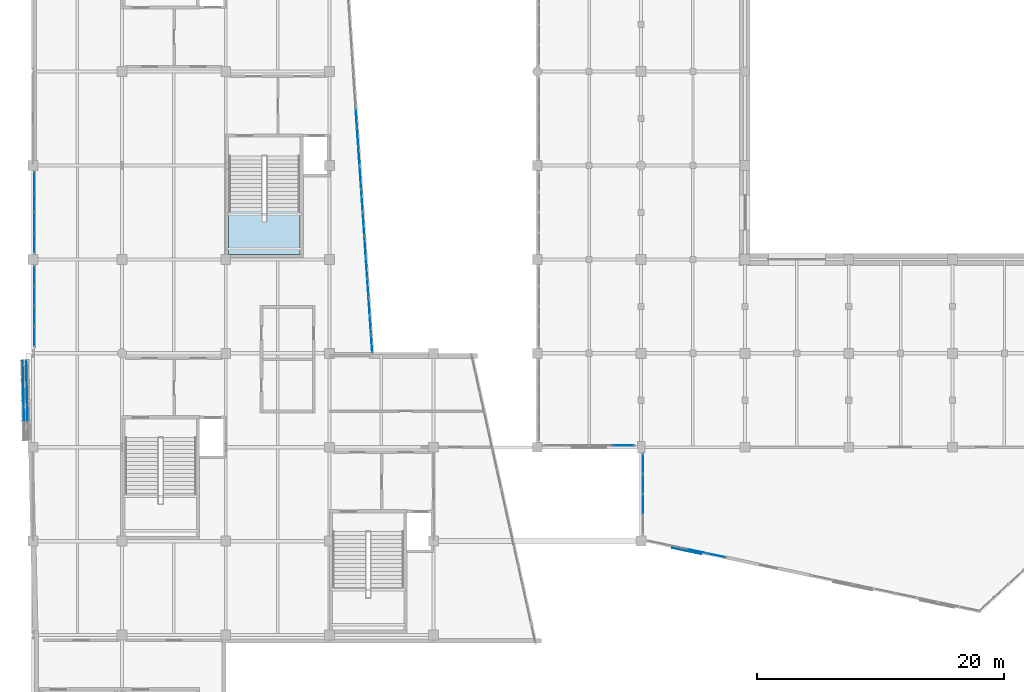
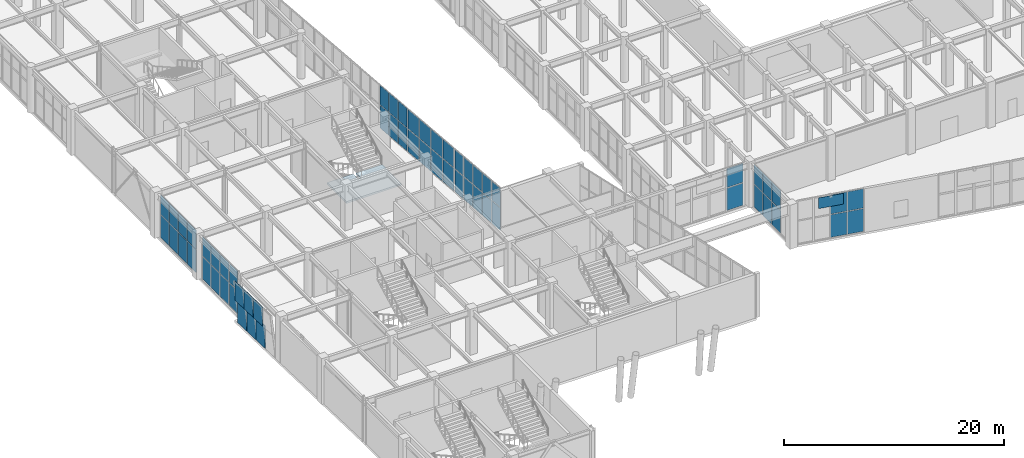
# One storey, part 95 of 128: 59 plates, 1 slab, 10 elements without a shape of their own.
"""IFC4 building model written with IfcOpenShell, lengths in metres."""

from ifc_helpers import new_model, si_unit, direction, frame, origin, origin_2d, place, context, subcontext, project, spatial, polyline, rectangle, outline, extrude, material, layer, layer_set, type_object, element, aggregate, save


model = new_model("IFC4")

# Units and contexts
model_context = context("Model", 3, precision=1e-05, world=origin(), true_north=direction((0.0, 1.0)))
body_context = subcontext(model_context, "Body", "Model", "MODEL_VIEW")
ifc_project = project(units=[si_unit("LENGTHUNIT", "METRE"), si_unit("AREAUNIT", "SQUARE_METRE"), si_unit("VOLUMEUNIT", "CUBIC_METRE"), si_unit("PLANEANGLEUNIT", "RADIAN"), si_unit("MASSUNIT", "GRAM", prefix="KILO")], contexts=[model_context])

# Site, building, storey
site_placement = place(None, origin())
site = spatial("IfcSite", under=ifc_project, at=site_placement, CompositionType="ELEMENT")
building_placement = place(site_placement, origin())
building = spatial("IfcBuilding", under=site, at=building_placement, Name="Xicomal Pleat Aquarium", CompositionType="ELEMENT")
storey_placement = place(building_placement, frame((0.0, 0.0, 5.39990234375)))
storey = spatial("IfcBuildingStorey", under=building, at=storey_placement, Name="L02", CompositionType="ELEMENT", Elevation=5.39990234375)

# Curtain wall, plates
ifc_material_1 = material(Name="Bronze anodized aluminium 6063-T6", Category="aluminium")
ifc_layer_1 = layer(ifc_material_1, 0.159912109375)
ifc_layer_set_1 = layer_set([ifc_layer_1], Name="Bronze anodized aluminium 6063-T6")
curtain_wall_type_1 = type_object("IfcCurtainWallType", Name="CW-SYS-07", PredefinedType="NOTDEFINED", material=ifc_layer_set_1)
curtain_wall_1_placement = place(storey_placement, origin())
curtain_wall_1 = element("IfcCurtainWall", 1, at=curtain_wall_1_placement, inside=storey, type_object=curtain_wall_type_1, Name="L02 unitised curtain wall CW-L02-136", PredefinedType="NOTDEFINED")
ifc_material_2 = material(Name="Insulated low-E laminated glass", Category="glass")
ifc_layer_2 = layer(ifc_material_2, 0.028076171875)
ifc_layer_set_2 = layer_set([ifc_layer_2], Name="Insulated low-E laminated glass")
plate_type_1 = type_object("IfcPlateType", Name="CWP-GLZ-28", PredefinedType="CURTAIN_PANEL", material=ifc_layer_set_2)
plate_1_placement = place(storey_placement, frame((29.49658203125, 52.222412109375, 0.0751953125), z_axis=(0.0, 0.0, 1.0), x_axis=(0.067608112673, -0.997711953973, 0.0)))
plate_1 = element("IfcPlate", 2, at=plate_1_placement, type_object=plate_type_1, Name="CW-07 panel 1.1", PredefinedType="CURTAIN_PANEL", context=body_context, shape_type="SweptSolid", body=[
    extrude(rectangle(XDim=1.7919921875, YDim=0.028076171875, at=origin_2d()), origin(), (0.0, 0.0, 1.0), 2.511474609375),
])
plate_2_placement = place(storey_placement, frame((29.49658203125, 52.222412109375, 2.66162109375), z_axis=(0.0, 0.0, 1.0), x_axis=(0.067608112673, -0.997711953973, 0.0)))
plate_2 = element("IfcPlate", 3, at=plate_2_placement, type_object=plate_type_1, Name="CW-07 panel 1.2", PredefinedType="CURTAIN_PANEL", context=body_context, shape_type="SweptSolid", body=[
    extrude(rectangle(XDim=1.7919921875, YDim=0.028076171875, at=origin_2d()), origin(), (0.0, 0.0, 1.0), 2.12353515625),
])
plate_3_placement = place(storey_placement, frame((29.6240234375, 50.341064453125, 0.0751953125), z_axis=(0.0, 0.0, 1.0), x_axis=(0.067608112673, -0.997711953973, 0.0)))
plate_3 = element("IfcPlate", 4, at=plate_3_placement, type_object=plate_type_1, Name="CW-07 panel 2.1", PredefinedType="CURTAIN_PANEL", context=body_context, shape_type="SweptSolid", body=[
    extrude(rectangle(XDim=1.829345703125, YDim=0.028076171875, at=origin_2d()), origin(), (0.0, 0.0, 1.0), 2.511474609375),
])
plate_4_placement = place(storey_placement, frame((29.6240234375, 50.341064453125, 2.66162109375), z_axis=(0.0, 0.0, 1.0), x_axis=(0.067608112673, -0.997711953973, 0.0)))
plate_4 = element("IfcPlate", 5, at=plate_4_placement, type_object=plate_type_1, Name="CW-07 panel 2.2", PredefinedType="CURTAIN_PANEL", context=body_context, shape_type="SweptSolid", body=[
    extrude(rectangle(XDim=1.829345703125, YDim=0.028076171875, at=origin_2d()), origin(), (0.0, 0.0, 1.0), 2.12353515625),
])
plate_5_placement = place(storey_placement, frame((29.7529296875, 48.44091796875, 0.0751953125), z_axis=(0.0, 0.0, 1.0), x_axis=(0.067608112673, -0.997711953973, 0.0)))
plate_5 = element("IfcPlate", 6, at=plate_5_placement, type_object=plate_type_1, Name="CW-07 panel 3.1", PredefinedType="CURTAIN_PANEL", context=body_context, shape_type="SweptSolid", body=[
    extrude(rectangle(XDim=1.829345703125, YDim=0.028076171875, at=origin_2d()), origin(), (0.0, 0.0, 1.0), 2.511474609375),
])
plate_6_placement = place(storey_placement, frame((29.7529296875, 48.44091796875, 2.66162109375), z_axis=(0.0, 0.0, 1.0), x_axis=(0.067608112673, -0.997711953973, 0.0)))
plate_6 = element("IfcPlate", 7, at=plate_6_placement, type_object=plate_type_1, Name="CW-07 panel 3.2", PredefinedType="CURTAIN_PANEL", context=body_context, shape_type="SweptSolid", body=[
    extrude(rectangle(XDim=1.829345703125, YDim=0.028076171875, at=origin_2d()), origin(), (0.0, 0.0, 1.0), 2.12353515625),
])
plate_7_placement = place(storey_placement, frame((29.88037109375, 46.559814453125, 0.0751953125), z_axis=(0.0, 0.0, 1.0), x_axis=(0.067608112673, -0.997711953973, 0.0)))
plate_7 = element("IfcPlate", 8, at=plate_7_placement, type_object=plate_type_1, Name="CW-07 panel 4.1", PredefinedType="CURTAIN_PANEL", context=body_context, shape_type="SweptSolid", body=[
    extrude(rectangle(XDim=1.7919921875, YDim=0.028076171875, at=origin_2d()), origin(), (0.0, 0.0, 1.0), 2.511474609375),
])
plate_8_placement = place(storey_placement, frame((29.88037109375, 46.559814453125, 2.66162109375), z_axis=(0.0, 0.0, 1.0), x_axis=(0.067608112673, -0.997711953973, 0.0)))
plate_8 = element("IfcPlate", 9, at=plate_8_placement, type_object=plate_type_1, Name="CW-07 panel 4.2", PredefinedType="CURTAIN_PANEL", context=body_context, shape_type="SweptSolid", body=[
    extrude(rectangle(XDim=1.7919921875, YDim=0.028076171875, at=origin_2d()), origin(), (0.0, 0.0, 1.0), 2.12353515625),
])
aggregate(curtain_wall_1, [plate_1, plate_2, plate_3, plate_4, plate_5, plate_6, plate_7, plate_8])

ifc_material_3 = material(Name="Bronze anodized aluminium 6063-T6", Category="aluminium")
ifc_layer_3 = layer(ifc_material_3, 0.159912109375)
ifc_layer_set_3 = layer_set([ifc_layer_3], Name="Bronze anodized aluminium 6063-T6")
curtain_wall_type_2 = type_object("IfcCurtainWallType", Name="CW-SYS-02", PredefinedType="NOTDEFINED", material=ifc_layer_set_3)
curtain_wall_2_placement = place(storey_placement, origin())
curtain_wall_2 = element("IfcCurtainWall", 10, at=curtain_wall_2_placement, inside=storey, type_object=curtain_wall_type_2, Name="L02 unitised curtain wall CW-L02-093", PredefinedType="NOTDEFINED")
ifc_material_4 = material(Name="Insulated low-E laminated glass", Category="glass")
ifc_layer_4 = layer(ifc_material_4, 0.031982421875)
ifc_layer_set_4 = layer_set([ifc_layer_4], Name="Insulated low-E laminated glass")
plate_type_2 = type_object("IfcPlateType", Name="CWP-GLZ-32", PredefinedType="CURTAIN_PANEL", material=ifc_layer_set_4)
plate_9_placement = place(storey_placement, frame((58.272216796875, 21.65771484375, 0.06494140625), z_axis=(0.0, 0.0, 1.0), x_axis=(-0.978331034314, 0.207046823929, 0.0)))
plate_9 = element("IfcPlate", 11, at=plate_9_placement, type_object=plate_type_2, Name="CW-02 panel 1.1", PredefinedType="CURTAIN_PANEL", context=body_context, shape_type="SweptSolid", body=[
    extrude(rectangle(XDim=1.519287109375, YDim=0.031982421875, at=origin_2d()), origin(), (0.0, 0.0, 1.0), 2.526611328125),
])
plate_10_placement = place(storey_placement, frame((58.272216796875, 21.65771484375, 2.65673828125), z_axis=(0.0, 0.0, 1.0), x_axis=(-0.978331034314, 0.207046823929, 0.0)))
plate_10 = element("IfcPlate", 12, at=plate_10_placement, type_object=plate_type_2, Name="CW-02 panel 1.2", PredefinedType="CURTAIN_PANEL", context=body_context, shape_type="SweptSolid", body=[
    extrude(rectangle(XDim=1.519287109375, YDim=0.031982421875, at=origin_2d()), origin(), (0.0, 0.0, 1.0), 2.138427734375),
])
plate_11_placement = place(storey_placement, frame((56.706298828125, 21.989013671875, 0.06494140625), z_axis=(0.0, 0.0, 1.0), x_axis=(-0.978331034314, 0.207046823929, 0.0)))
plate_11 = element("IfcPlate", 13, at=plate_11_placement, type_object=plate_type_2, Name="CW-02 panel 2.1", PredefinedType="CURTAIN_PANEL", context=body_context, shape_type="SweptSolid", body=[
    extrude(rectangle(XDim=1.5517578125, YDim=0.031982421875, at=origin_2d()), origin(), (0.0, 0.0, 1.0), 2.526611328125),
])
plate_12_placement = place(storey_placement, frame((56.706298828125, 21.989013671875, 2.65673828125), z_axis=(0.0, 0.0, 1.0), x_axis=(-0.978331034314, 0.207046823929, 0.0)))
plate_12 = element("IfcPlate", 14, at=plate_12_placement, type_object=plate_type_2, Name="CW-02 panel 2.2", PredefinedType="CURTAIN_PANEL", context=body_context, shape_type="SweptSolid", body=[
    extrude(rectangle(XDim=1.5517578125, YDim=0.031982421875, at=origin_2d()), origin(), (0.0, 0.0, 1.0), 2.138427734375),
])
aggregate(curtain_wall_2, [plate_9, plate_10, plate_11, plate_12])

ifc_material_5 = material(Name="Bronze anodized aluminium 6063-T6", Category="aluminium")
ifc_layer_5 = layer(ifc_material_5, 0.159912109375)
ifc_layer_set_5 = layer_set([ifc_layer_5], Name="Bronze anodized aluminium 6063-T6")
curtain_wall_type_3 = type_object("IfcCurtainWallType", Name="CW-SYS-12", PredefinedType="NOTDEFINED", material=ifc_layer_set_5)
curtain_wall_3_placement = place(storey_placement, origin())
curtain_wall_3 = element("IfcCurtainWall", 15, at=curtain_wall_3_placement, inside=storey, type_object=curtain_wall_type_3, Name="L02 unitised curtain wall CW-L02-137", PredefinedType="NOTDEFINED")
plate_13_placement = place(storey_placement, frame((29.998779296875, 44.809814453125, 0.0849609375), z_axis=(0.0, 0.0, 1.0), x_axis=(0.067477433092, -0.997720800637, 0.0)))
plate_13 = element("IfcPlate", 16, at=plate_13_placement, type_object=plate_type_2, Name="CW-12 panel 1.1", PredefinedType="CURTAIN_PANEL", context=body_context, shape_type="SweptSolid", body=[
    extrude(rectangle(XDim=1.39599609375, YDim=0.031982421875, at=origin_2d()), origin(), (0.0, 0.0, 1.0), 2.49658203125),
])
plate_14_placement = place(storey_placement, frame((29.998779296875, 44.809814453125, 2.66650390625), z_axis=(0.0, 0.0, 1.0), x_axis=(0.067477433092, -0.997720800637, 0.0)))
plate_14 = element("IfcPlate", 17, at=plate_14_placement, type_object=plate_type_2, Name="CW-12 panel 1.2", PredefinedType="CURTAIN_PANEL", context=body_context, shape_type="SweptSolid", body=[
    extrude(rectangle(XDim=1.39599609375, YDim=0.031982421875, at=origin_2d()), origin(), (0.0, 0.0, 1.0), 2.1083984375),
])
plate_15_placement = place(storey_placement, frame((30.10009765625, 43.31103515625, 0.0849609375), z_axis=(0.0, 0.0, 1.0), x_axis=(0.067477433092, -0.997720800637, 0.0)))
plate_15 = element("IfcPlate", 18, at=plate_15_placement, type_object=plate_type_2, Name="CW-12 panel 2.1", PredefinedType="CURTAIN_PANEL", context=body_context, shape_type="SweptSolid", body=[
    extrude(rectangle(XDim=1.4384765625, YDim=0.031982421875, at=origin_2d()), origin(), (0.0, 0.0, 1.0), 2.49658203125),
])
plate_16_placement = place(storey_placement, frame((30.10009765625, 43.31103515625, 2.66650390625), z_axis=(0.0, 0.0, 1.0), x_axis=(0.067477433092, -0.997720800637, 0.0)))
plate_16 = element("IfcPlate", 19, at=plate_16_placement, type_object=plate_type_2, Name="CW-12 panel 2.2", PredefinedType="CURTAIN_PANEL", context=body_context, shape_type="SweptSolid", body=[
    extrude(rectangle(XDim=1.4384765625, YDim=0.031982421875, at=origin_2d()), origin(), (0.0, 0.0, 1.0), 2.1083984375),
])
plate_17_placement = place(storey_placement, frame((30.202880859375, 41.791015625, 0.0849609375), z_axis=(0.0, 0.0, 1.0), x_axis=(0.067477433092, -0.997720800637, 0.0)))
plate_17 = element("IfcPlate", 20, at=plate_17_placement, type_object=plate_type_2, Name="CW-12 panel 3.1", PredefinedType="CURTAIN_PANEL", context=body_context, shape_type="SweptSolid", body=[
    extrude(rectangle(XDim=1.4384765625, YDim=0.031982421875, at=origin_2d()), origin(), (0.0, 0.0, 1.0), 2.49658203125),
])
plate_18_placement = place(storey_placement, frame((30.202880859375, 41.791015625, 2.66650390625), z_axis=(0.0, 0.0, 1.0), x_axis=(0.067477433092, -0.997720800637, 0.0)))
plate_18 = element("IfcPlate", 21, at=plate_18_placement, type_object=plate_type_2, Name="CW-12 panel 3.2", PredefinedType="CURTAIN_PANEL", context=body_context, shape_type="SweptSolid", body=[
    extrude(rectangle(XDim=1.4384765625, YDim=0.031982421875, at=origin_2d()), origin(), (0.0, 0.0, 1.0), 2.1083984375),
])
plate_19_placement = place(storey_placement, frame((30.305908203125, 40.27099609375, 0.0849609375), z_axis=(0.0, 0.0, 1.0), x_axis=(0.067477433092, -0.997720800637, 0.0)))
plate_19 = element("IfcPlate", 22, at=plate_19_placement, type_object=plate_type_2, Name="CW-12 panel 4.1", PredefinedType="CURTAIN_PANEL", context=body_context, shape_type="SweptSolid", body=[
    extrude(rectangle(XDim=1.4384765625, YDim=0.031982421875, at=origin_2d()), origin(), (0.0, 0.0, 1.0), 2.49658203125),
])
plate_20_placement = place(storey_placement, frame((30.305908203125, 40.27099609375, 2.66650390625), z_axis=(0.0, 0.0, 1.0), x_axis=(0.067477433092, -0.997720800637, 0.0)))
plate_20 = element("IfcPlate", 23, at=plate_20_placement, type_object=plate_type_2, Name="CW-12 panel 4.2", PredefinedType="CURTAIN_PANEL", context=body_context, shape_type="SweptSolid", body=[
    extrude(rectangle(XDim=1.4384765625, YDim=0.031982421875, at=origin_2d()), origin(), (0.0, 0.0, 1.0), 2.1083984375),
])
plate_21_placement = place(storey_placement, frame((30.4072265625, 38.772216796875, 0.0849609375), z_axis=(0.0, 0.0, 1.0), x_axis=(0.067477433092, -0.997720800637, 0.0)))
plate_21 = element("IfcPlate", 24, at=plate_21_placement, type_object=plate_type_2, Name="CW-12 panel 5.1", PredefinedType="CURTAIN_PANEL", context=body_context, shape_type="SweptSolid", body=[
    extrude(rectangle(XDim=1.39599609375, YDim=0.031982421875, at=origin_2d()), origin(), (0.0, 0.0, 1.0), 2.49658203125),
])
plate_22_placement = place(storey_placement, frame((30.4072265625, 38.772216796875, 2.66650390625), z_axis=(0.0, 0.0, 1.0), x_axis=(0.067477433092, -0.997720800637, 0.0)))
plate_22 = element("IfcPlate", 25, at=plate_22_placement, type_object=plate_type_2, Name="CW-12 panel 5.2", PredefinedType="CURTAIN_PANEL", context=body_context, shape_type="SweptSolid", body=[
    extrude(rectangle(XDim=1.39599609375, YDim=0.031982421875, at=origin_2d()), origin(), (0.0, 0.0, 1.0), 2.1083984375),
])
aggregate(curtain_wall_3, [plate_13, plate_14, plate_15, plate_16, plate_17, plate_18, plate_19, plate_20, plate_21, plate_22])

curtain_wall_4_placement = place(storey_placement, origin())
curtain_wall_4 = element("IfcCurtainWall", 26, at=curtain_wall_4_placement, inside=storey, type_object=curtain_wall_type_2, Name="L02 unitised curtain wall CW-L02-141", PredefinedType="NOTDEFINED")
plate_23_placement = place(storey_placement, frame((2.55078125, 33.38037109375, 0.06494140625), z_axis=(0.0, 0.0, 1.0), x_axis=(-0.023544473116, 0.99972279047, 0.0)))
plate_23 = element("IfcPlate", 27, at=plate_23_placement, type_object=plate_type_2, Name="CW-02 panel 2.1", PredefinedType="CURTAIN_PANEL", context=body_context, shape_type="SweptSolid", body=[
    extrude(rectangle(XDim=1.5703125, YDim=0.031982421875, at=origin_2d()), origin(), (0.0, 0.0, 1.0), 2.526611328125),
])
plate_24_placement = place(storey_placement, frame((2.26513671875, 33.37353515625, 2.65673828125), z_axis=(0.0, 0.0, 1.0), x_axis=(-0.023544473116, 0.99972279047, 0.0)))
plate_24 = element("IfcPlate", 28, at=plate_24_placement, type_object=plate_type_2, Name="CW-02 panel 2.2", PredefinedType="CURTAIN_PANEL", context=body_context, shape_type="SweptSolid", body=[
    extrude(rectangle(XDim=1.5703125, YDim=0.031982421875, at=origin_2d()), origin(), (0.0, 0.0, 1.0), 2.138427734375),
])
plate_25_placement = place(storey_placement, frame((2.512451171875, 35.01513671875, 0.06494140625), z_axis=(0.0, 0.0, 1.0), x_axis=(-0.023544473116, 0.99972279047, 0.0)))
plate_25 = element("IfcPlate", 29, at=plate_25_placement, type_object=plate_type_2, Name="CW-02 panel 3.1", PredefinedType="CURTAIN_PANEL", context=body_context, shape_type="SweptSolid", body=[
    extrude(rectangle(XDim=1.5703125, YDim=0.031982421875, at=origin_2d()), origin(), (0.0, 0.0, 1.0), 2.526611328125),
])
plate_26_placement = place(storey_placement, frame((2.2265625, 35.00830078125, 2.65673828125), z_axis=(0.0, 0.0, 1.0), x_axis=(-0.023544473116, 0.99972279047, 0.0)))
plate_26 = element("IfcPlate", 30, at=plate_26_placement, type_object=plate_type_2, Name="CW-02 panel 3.2", PredefinedType="CURTAIN_PANEL", context=body_context, shape_type="SweptSolid", body=[
    extrude(rectangle(XDim=1.5703125, YDim=0.031982421875, at=origin_2d()), origin(), (0.0, 0.0, 1.0), 2.138427734375),
])
plate_27_placement = place(storey_placement, frame((2.474365234375, 36.633544921875, 0.06494140625), z_axis=(0.0, 0.0, 1.0), x_axis=(-0.023544473116, 0.99972279047, 0.0)))
plate_27 = element("IfcPlate", 31, at=plate_27_placement, type_object=plate_type_2, Name="CW-02 panel 4.1", PredefinedType="CURTAIN_PANEL", context=body_context, shape_type="SweptSolid", body=[
    extrude(rectangle(XDim=1.53759765625, YDim=0.031982421875, at=origin_2d()), origin(), (0.0, 0.0, 1.0), 2.526611328125),
])
plate_28_placement = place(storey_placement, frame((2.1884765625, 36.626953125, 2.65673828125), z_axis=(0.0, 0.0, 1.0), x_axis=(-0.023544473116, 0.99972279047, 0.0)))
plate_28 = element("IfcPlate", 32, at=plate_28_placement, type_object=plate_type_2, Name="CW-02 panel 4.2", PredefinedType="CURTAIN_PANEL", context=body_context, shape_type="SweptSolid", body=[
    extrude(rectangle(XDim=1.53759765625, YDim=0.031982421875, at=origin_2d()), origin(), (0.0, 0.0, 1.0), 2.138427734375),
])
aggregate(curtain_wall_4, [plate_23, plate_24, plate_25, plate_26, plate_27, plate_28])

curtain_wall_5_placement = place(storey_placement, origin())
curtain_wall_5 = element("IfcCurtainWall", 33, at=curtain_wall_5_placement, inside=storey, type_object=curtain_wall_type_1, Name="L02 unitised curtain wall CW-L02-094", PredefinedType="NOTDEFINED")
ifc_material_6 = material(Name="Insulated low-E laminated glass", Category="glass")
ifc_layer_6 = layer(ifc_material_6, 0.035888671875)
ifc_layer_set_6 = layer_set([ifc_layer_6], Name="Insulated low-E laminated glass")
plate_type_3 = type_object("IfcPlateType", Name="CWP-GLZ-36", PredefinedType="CURTAIN_PANEL", material=ifc_layer_set_6)
plate_29_placement = place(storey_placement, frame((52.340087890625, 25.780029296875, 0.0751953125), z_axis=(0.0, 0.0, 1.0), x_axis=(0.0, 1.0, 0.0)))
plate_29 = element("IfcPlate", 34, at=plate_29_placement, type_object=plate_type_3, Name="CW-07 panel 2.1", PredefinedType="CURTAIN_PANEL", context=body_context, shape_type="SweptSolid", body=[
    extrude(rectangle(XDim=1.56494140625, YDim=0.035888671875, at=origin_2d()), origin(), (0.0, 0.0, 1.0), 2.511474609375),
])
plate_30_placement = place(storey_placement, frame((52.340087890625, 25.780029296875, 2.66162109375), z_axis=(0.0, 0.0, 1.0), x_axis=(0.0, 1.0, 0.0)))
plate_30 = element("IfcPlate", 35, at=plate_30_placement, type_object=plate_type_3, Name="CW-07 panel 2.2", PredefinedType="CURTAIN_PANEL", context=body_context, shape_type="SweptSolid", body=[
    extrude(rectangle(XDim=1.56494140625, YDim=0.035888671875, at=origin_2d()), origin(), (0.0, 0.0, 1.0), 2.12353515625),
])
plate_31_placement = place(storey_placement, frame((52.340087890625, 27.419921875, 0.0751953125), z_axis=(0.0, 0.0, 1.0), x_axis=(0.0, 1.0, 0.0)))
plate_31 = element("IfcPlate", 36, at=plate_31_placement, type_object=plate_type_3, Name="CW-07 panel 3.1", PredefinedType="CURTAIN_PANEL", context=body_context, shape_type="SweptSolid", body=[
    extrude(rectangle(XDim=1.56494140625, YDim=0.035888671875, at=origin_2d()), origin(), (0.0, 0.0, 1.0), 2.511474609375),
])
plate_32_placement = place(storey_placement, frame((52.340087890625, 27.419921875, 2.66162109375), z_axis=(0.0, 0.0, 1.0), x_axis=(0.0, 1.0, 0.0)))
plate_32 = element("IfcPlate", 37, at=plate_32_placement, type_object=plate_type_3, Name="CW-07 panel 3.2", PredefinedType="CURTAIN_PANEL", context=body_context, shape_type="SweptSolid", body=[
    extrude(rectangle(XDim=1.56494140625, YDim=0.035888671875, at=origin_2d()), origin(), (0.0, 0.0, 1.0), 2.12353515625),
])
plate_33_placement = place(storey_placement, frame((52.340087890625, 29.041259765625, 0.0751953125), z_axis=(0.0, 0.0, 1.0), x_axis=(0.0, 1.0, 0.0)))
plate_33 = element("IfcPlate", 38, at=plate_33_placement, type_object=plate_type_3, Name="CW-07 panel 4.1", PredefinedType="CURTAIN_PANEL", context=body_context, shape_type="SweptSolid", body=[
    extrude(rectangle(XDim=1.527587890625, YDim=0.035888671875, at=origin_2d()), origin(), (0.0, 0.0, 1.0), 2.511474609375),
])
plate_34_placement = place(storey_placement, frame((52.340087890625, 29.041259765625, 2.66162109375), z_axis=(0.0, 0.0, 1.0), x_axis=(0.0, 1.0, 0.0)))
plate_34 = element("IfcPlate", 39, at=plate_34_placement, type_object=plate_type_3, Name="CW-07 panel 4.2", PredefinedType="CURTAIN_PANEL", context=body_context, shape_type="SweptSolid", body=[
    extrude(rectangle(XDim=1.527587890625, YDim=0.035888671875, at=origin_2d()), origin(), (0.0, 0.0, 1.0), 2.12353515625),
])
aggregate(curtain_wall_5, [plate_29, plate_30, plate_31, plate_32, plate_33, plate_34])

curtain_wall_6_placement = place(storey_placement, origin())
curtain_wall_6 = element("IfcCurtainWall", 40, at=curtain_wall_6_placement, inside=storey, type_object=curtain_wall_type_3, Name="L02 unitised curtain wall CW-L02-122", PredefinedType="NOTDEFINED")
plate_35_placement = place(storey_placement, frame((3.139892578125, 39.361328125, 0.0849609375), z_axis=(0.0, 0.0, 1.0), x_axis=(0.0, 1.0, 0.0)))
plate_35 = element("IfcPlate", 41, at=plate_35_placement, type_object=plate_type_3, Name="CW-12 panel 1.1", PredefinedType="CURTAIN_PANEL", context=body_context, shape_type="SweptSolid", body=[
    extrude(rectangle(XDim=1.512451171875, YDim=0.035888671875, at=origin_2d()), origin(), (0.0, 0.0, 1.0), 2.505615234375),
])
plate_36_placement = place(storey_placement, frame((3.139892578125, 39.361328125, 2.67578125), z_axis=(0.0, 0.0, 1.0), x_axis=(0.0, 1.0, 0.0)))
plate_36 = element("IfcPlate", 42, at=plate_36_placement, type_object=plate_type_3, Name="CW-12 panel 1.2", PredefinedType="CURTAIN_PANEL", context=body_context, shape_type="SweptSolid", body=[
    extrude(rectangle(XDim=1.512451171875, YDim=0.035888671875, at=origin_2d()), origin(), (0.0, 0.0, 1.0), 2.114501953125),
])
plate_37_placement = place(storey_placement, frame((3.139892578125, 40.97998046875, 0.0849609375), z_axis=(0.0, 0.0, 1.0), x_axis=(0.0, 1.0, 0.0)))
plate_37 = element("IfcPlate", 43, at=plate_37_placement, type_object=plate_type_3, Name="CW-12 panel 2.1", PredefinedType="CURTAIN_PANEL", context=body_context, shape_type="SweptSolid", body=[
    extrude(rectangle(XDim=1.554931640625, YDim=0.035888671875, at=origin_2d()), origin(), (0.0, 0.0, 1.0), 2.505615234375),
])
plate_38_placement = place(storey_placement, frame((3.139892578125, 40.97998046875, 2.67578125), z_axis=(0.0, 0.0, 1.0), x_axis=(0.0, 1.0, 0.0)))
plate_38 = element("IfcPlate", 44, at=plate_38_placement, type_object=plate_type_3, Name="CW-12 panel 2.2", PredefinedType="CURTAIN_PANEL", context=body_context, shape_type="SweptSolid", body=[
    extrude(rectangle(XDim=1.554931640625, YDim=0.035888671875, at=origin_2d()), origin(), (0.0, 0.0, 1.0), 2.114501953125),
])
plate_39_placement = place(storey_placement, frame((3.139892578125, 42.6201171875, 0.0849609375), z_axis=(0.0, 0.0, 1.0), x_axis=(0.0, 1.0, 0.0)))
plate_39 = element("IfcPlate", 45, at=plate_39_placement, type_object=plate_type_3, Name="CW-12 panel 3.1", PredefinedType="CURTAIN_PANEL", context=body_context, shape_type="SweptSolid", body=[
    extrude(rectangle(XDim=1.554931640625, YDim=0.035888671875, at=origin_2d()), origin(), (0.0, 0.0, 1.0), 2.505615234375),
])
plate_40_placement = place(storey_placement, frame((3.139892578125, 42.6201171875, 2.67578125), z_axis=(0.0, 0.0, 1.0), x_axis=(0.0, 1.0, 0.0)))
plate_40 = element("IfcPlate", 46, at=plate_40_placement, type_object=plate_type_3, Name="CW-12 panel 3.2", PredefinedType="CURTAIN_PANEL", context=body_context, shape_type="SweptSolid", body=[
    extrude(rectangle(XDim=1.554931640625, YDim=0.035888671875, at=origin_2d()), origin(), (0.0, 0.0, 1.0), 2.114501953125),
])
plate_41_placement = place(storey_placement, frame((3.139892578125, 44.23876953125, 0.0849609375), z_axis=(0.0, 0.0, 1.0), x_axis=(0.0, 1.0, 0.0)))
plate_41 = element("IfcPlate", 47, at=plate_41_placement, type_object=plate_type_3, Name="CW-12 panel 4.1", PredefinedType="CURTAIN_PANEL", context=body_context, shape_type="SweptSolid", body=[
    extrude(rectangle(XDim=1.512451171875, YDim=0.035888671875, at=origin_2d()), origin(), (0.0, 0.0, 1.0), 2.505615234375),
])
plate_42_placement = place(storey_placement, frame((3.139892578125, 44.23876953125, 2.67578125), z_axis=(0.0, 0.0, 1.0), x_axis=(0.0, 1.0, 0.0)))
plate_42 = element("IfcPlate", 48, at=plate_42_placement, type_object=plate_type_3, Name="CW-12 panel 4.2", PredefinedType="CURTAIN_PANEL", context=body_context, shape_type="SweptSolid", body=[
    extrude(rectangle(XDim=1.512451171875, YDim=0.035888671875, at=origin_2d()), origin(), (0.0, 0.0, 1.0), 2.114501953125),
])
aggregate(curtain_wall_6, [plate_35, plate_36, plate_37, plate_38, plate_39, plate_40, plate_41, plate_42])

curtain_wall_7_placement = place(storey_placement, origin())
curtain_wall_7 = element("IfcCurtainWall", 49, at=curtain_wall_7_placement, inside=storey, type_object=curtain_wall_type_3, Name="L02 unitised curtain wall CW-L02-095", PredefinedType="NOTDEFINED")
ifc_material_7 = material(Name="Insulated low-E laminated glass", Category="glass")
ifc_layer_7 = layer(ifc_material_7, 0.0419921875)
ifc_layer_set_7 = layer_set([ifc_layer_7], Name="Insulated low-E laminated glass")
plate_type_4 = type_object("IfcPlateType", Name="CWP-GLZ-42", PredefinedType="CURTAIN_PANEL", material=ifc_layer_set_7)
plate_43_placement = place(storey_placement, frame((50.73876953125, 30.5400390625, 0.085205078125), z_axis=(0.0, 0.0, 1.0), x_axis=(-1.0, 0.0, 0.0)))
plate_43 = element("IfcPlate", 50, at=plate_43_placement, type_object=plate_type_4, Name="CW-12 panel 1.1", PredefinedType="CURTAIN_PANEL", context=body_context, shape_type="SweptSolid", body=[
    extrude(rectangle(XDim=1.71240234375, YDim=0.0419921875, at=origin_2d()), origin(), (0.0, 0.0, 1.0), 2.4755859375),
])
plate_44_placement = place(storey_placement, frame((50.73876953125, 30.5400390625, 2.6455078125), z_axis=(0.0, 0.0, 1.0), x_axis=(-1.0, 0.0, 0.0)))
plate_44 = element("IfcPlate", 51, at=plate_44_placement, type_object=plate_type_4, Name="CW-12 panel 1.2", PredefinedType="CURTAIN_PANEL", context=body_context, shape_type="SweptSolid", body=[
    extrude(rectangle(XDim=1.71240234375, YDim=0.0419921875, at=origin_2d()), origin(), (0.0, 0.0, 1.0), 2.089599609375),
])
aggregate(curtain_wall_7, [plate_43, plate_44])

curtain_wall_8_placement = place(storey_placement, origin())
curtain_wall_8 = element("IfcCurtainWall", 52, at=curtain_wall_8_placement, inside=storey, type_object=curtain_wall_type_2, Name="L02 unitised curtain wall CW-L02-123", PredefinedType="NOTDEFINED")
plate_45_placement = place(storey_placement, frame((3.139892578125, 46.956298828125, 0.06494140625), z_axis=(0.0, 0.0, 1.0), x_axis=(0.0, 1.0, 0.0)))
plate_45 = element("IfcPlate", 53, at=plate_45_placement, type_object=plate_type_4, Name="CW-02 panel 1.1", PredefinedType="CURTAIN_PANEL", context=body_context, shape_type="SweptSolid", body=[
    extrude(rectangle(XDim=1.54248046875, YDim=0.0419921875, at=origin_2d()), origin(), (0.0, 0.0, 1.0), 2.535400390625),
])
plate_46_placement = place(storey_placement, frame((3.139892578125, 46.956298828125, 2.66552734375), z_axis=(0.0, 0.0, 1.0), x_axis=(0.0, 1.0, 0.0)))
plate_46 = element("IfcPlate", 54, at=plate_46_placement, type_object=plate_type_4, Name="CW-02 panel 1.2", PredefinedType="CURTAIN_PANEL", context=body_context, shape_type="SweptSolid", body=[
    extrude(rectangle(XDim=1.54248046875, YDim=0.0419921875, at=origin_2d()), origin(), (0.0, 0.0, 1.0), 2.14453125),
])
plate_47_placement = place(storey_placement, frame((3.139892578125, 48.580078125, 0.06494140625), z_axis=(0.0, 0.0, 1.0), x_axis=(0.0, 1.0, 0.0)))
plate_47 = element("IfcPlate", 55, at=plate_47_placement, type_object=plate_type_4, Name="CW-02 panel 2.1", PredefinedType="CURTAIN_PANEL", context=body_context, shape_type="SweptSolid", body=[
    extrude(rectangle(XDim=1.574951171875, YDim=0.0419921875, at=origin_2d()), origin(), (0.0, 0.0, 1.0), 2.535400390625),
])
plate_48_placement = place(storey_placement, frame((3.139892578125, 48.580078125, 2.66552734375), z_axis=(0.0, 0.0, 1.0), x_axis=(0.0, 1.0, 0.0)))
plate_48 = element("IfcPlate", 56, at=plate_48_placement, type_object=plate_type_4, Name="CW-02 panel 2.2", PredefinedType="CURTAIN_PANEL", context=body_context, shape_type="SweptSolid", body=[
    extrude(rectangle(XDim=1.574951171875, YDim=0.0419921875, at=origin_2d()), origin(), (0.0, 0.0, 1.0), 2.14453125),
])
plate_49_placement = place(storey_placement, frame((3.139892578125, 50.219970703125, 0.06494140625), z_axis=(0.0, 0.0, 1.0), x_axis=(0.0, 1.0, 0.0)))
plate_49 = element("IfcPlate", 57, at=plate_49_placement, type_object=plate_type_4, Name="CW-02 panel 3.1", PredefinedType="CURTAIN_PANEL", context=body_context, shape_type="SweptSolid", body=[
    extrude(rectangle(XDim=1.574951171875, YDim=0.0419921875, at=origin_2d()), origin(), (0.0, 0.0, 1.0), 2.535400390625),
])
plate_50_placement = place(storey_placement, frame((3.139892578125, 50.219970703125, 2.66552734375), z_axis=(0.0, 0.0, 1.0), x_axis=(0.0, 1.0, 0.0)))
plate_50 = element("IfcPlate", 58, at=plate_50_placement, type_object=plate_type_4, Name="CW-02 panel 3.2", PredefinedType="CURTAIN_PANEL", context=body_context, shape_type="SweptSolid", body=[
    extrude(rectangle(XDim=1.574951171875, YDim=0.0419921875, at=origin_2d()), origin(), (0.0, 0.0, 1.0), 2.14453125),
])
plate_51_placement = place(storey_placement, frame((3.139892578125, 51.84375, 0.06494140625), z_axis=(0.0, 0.0, 1.0), x_axis=(0.0, 1.0, 0.0)))
plate_51 = element("IfcPlate", 59, at=plate_51_placement, type_object=plate_type_4, Name="CW-02 panel 4.1", PredefinedType="CURTAIN_PANEL", context=body_context, shape_type="SweptSolid", body=[
    extrude(rectangle(XDim=1.54248046875, YDim=0.0419921875, at=origin_2d()), origin(), (0.0, 0.0, 1.0), 2.535400390625),
])
plate_52_placement = place(storey_placement, frame((3.139892578125, 51.84375, 2.66552734375), z_axis=(0.0, 0.0, 1.0), x_axis=(0.0, 1.0, 0.0)))
plate_52 = element("IfcPlate", 60, at=plate_52_placement, type_object=plate_type_4, Name="CW-02 panel 4.2", PredefinedType="CURTAIN_PANEL", context=body_context, shape_type="SweptSolid", body=[
    extrude(rectangle(XDim=1.54248046875, YDim=0.0419921875, at=origin_2d()), origin(), (0.0, 0.0, 1.0), 2.14453125),
])
aggregate(curtain_wall_8, [plate_45, plate_46, plate_47, plate_48, plate_49, plate_50, plate_51, plate_52])

curtain_wall_9_placement = place(storey_placement, origin())
curtain_wall_9 = element("IfcCurtainWall", 61, at=curtain_wall_9_placement, inside=storey, type_object=curtain_wall_type_2, Name="L02 unitised curtain wall CW-L02-135", PredefinedType="NOTDEFINED")
plate_53_placement = place(storey_placement, frame((29.174072265625, 56.990966796875, 0.06494140625), z_axis=(0.0, 0.0, 1.0), x_axis=(0.067477433092, -0.997720800637, 0.0)))
plate_53 = element("IfcPlate", 62, at=plate_53_placement, type_object=plate_type_4, Name="CW-02 panel 3.1", PredefinedType="CURTAIN_PANEL", context=body_context, shape_type="SweptSolid", body=[
    extrude(rectangle(XDim=1.45849609375, YDim=0.0419921875, at=origin_2d()), origin(), (0.0, 0.0, 1.0), 2.535400390625),
])
plate_54_placement = place(storey_placement, frame((29.174072265625, 56.990966796875, 2.66552734375), z_axis=(0.0, 0.0, 1.0), x_axis=(0.067477433092, -0.997720800637, 0.0)))
plate_54 = element("IfcPlate", 63, at=plate_54_placement, type_object=plate_type_4, Name="CW-02 panel 3.2", PredefinedType="CURTAIN_PANEL", context=body_context, shape_type="SweptSolid", body=[
    extrude(rectangle(XDim=1.45849609375, YDim=0.0419921875, at=origin_2d()), origin(), (0.0, 0.0, 1.0), 2.14453125),
])
plate_55_placement = place(storey_placement, frame((29.27685546875, 55.470947265625, 0.06494140625), z_axis=(0.0, 0.0, 1.0), x_axis=(0.067477433092, -0.997720800637, 0.0)))
plate_55 = element("IfcPlate", 64, at=plate_55_placement, type_object=plate_type_4, Name="CW-02 panel 4.1", PredefinedType="CURTAIN_PANEL", context=body_context, shape_type="SweptSolid", body=[
    extrude(rectangle(XDim=1.45849609375, YDim=0.0419921875, at=origin_2d()), origin(), (0.0, 0.0, 1.0), 2.535400390625),
])
plate_56_placement = place(storey_placement, frame((29.27685546875, 55.470947265625, 2.66552734375), z_axis=(0.0, 0.0, 1.0), x_axis=(0.067477433092, -0.997720800637, 0.0)))
plate_56 = element("IfcPlate", 65, at=plate_56_placement, type_object=plate_type_4, Name="CW-02 panel 4.2", PredefinedType="CURTAIN_PANEL", context=body_context, shape_type="SweptSolid", body=[
    extrude(rectangle(XDim=1.45849609375, YDim=0.0419921875, at=origin_2d()), origin(), (0.0, 0.0, 1.0), 2.14453125),
])
plate_57_placement = place(storey_placement, frame((29.37841796875, 53.96728515625, 0.06494140625), z_axis=(0.0, 0.0, 1.0), x_axis=(0.067477433092, -0.997720800637, 0.0)))
plate_57 = element("IfcPlate", 66, at=plate_57_placement, type_object=plate_type_4, Name="CW-02 panel 5.1", PredefinedType="CURTAIN_PANEL", context=body_context, shape_type="SweptSolid", body=[
    extrude(rectangle(XDim=1.426025390625, YDim=0.0419921875, at=origin_2d()), origin(), (0.0, 0.0, 1.0), 2.535400390625),
])
plate_58_placement = place(storey_placement, frame((29.37841796875, 53.96728515625, 2.66552734375), z_axis=(0.0, 0.0, 1.0), x_axis=(0.067477433092, -0.997720800637, 0.0)))
plate_58 = element("IfcPlate", 67, at=plate_58_placement, type_object=plate_type_4, Name="CW-02 panel 5.2", PredefinedType="CURTAIN_PANEL", context=body_context, shape_type="SweptSolid", body=[
    extrude(rectangle(XDim=1.426025390625, YDim=0.0419921875, at=origin_2d()), origin(), (0.0, 0.0, 1.0), 2.14453125),
])
aggregate(curtain_wall_9, [plate_53, plate_54, plate_55, plate_56, plate_57, plate_58])

# Plate
ifc_material_8 = material(Name="Perforated bronze anodized aluminium", Category="aluminium")
ifc_layer_8 = layer(ifc_material_8, 0.01611328125)
ifc_layer_set_8 = layer_set([ifc_layer_8], Name="Perforated bronze anodized aluminium")
plate_type_5 = type_object("IfcPlateType", Name="PLT-SUN-16", PredefinedType="USERDEFINED", material=ifc_layer_set_8)
plate_59_placement = place(storey_placement, frame((55.882080078125, 22.0, 3.6201171875), z_axis=(0.0, 0.0, 1.0), x_axis=(-0.978328665438, 0.207058016949, 0.0)))
element("IfcPlate", 68, at=plate_59_placement, inside=storey, type_object=plate_type_5, Name="L02 perforated solar sunshade 51", ObjectType="SUNSHADE PANEL", PredefinedType="USERDEFINED", context=body_context, shape_type="SweptSolid", body=[
    extrude(rectangle(XDim=2.39990234375, YDim=0.01611328125, at=origin_2d()), origin(), (0.0, 0.0, 1.0), 1.199951171875),
])

# Stair, slab
ifc_material_9 = material(Name="Concrete C35/45", Category="concrete")
stair_type = type_object("IfcStairType", Name="STR-HT-5100-2400", PredefinedType="HALF_TURN_STAIR", material=ifc_material_9)
stair_placement = place(storey_placement, origin())
stair = element("IfcStair", 69, at=stair_placement, inside=storey, type_object=stair_type, Name="ST-04 fire exit stair L02 to L03", PredefinedType="HALF_TURN_STAIR")
ifc_material_10 = material(Name="Concrete C35/45", Category="concrete")
ifc_layer_9 = layer(ifc_material_10, 0.195068359375)
ifc_layer_set_9 = layer_set([ifc_layer_9], Name="Concrete C35/45")
slab_type = type_object("IfcSlabType", Name="SLB-LND-195", PredefinedType="LANDING", material=ifc_layer_set_9)
slab_placement = place(storey_placement, frame((0.0, 0.0, 2.35498046875)))
slab = element("IfcSlab", 70, at=slab_placement, type_object=slab_type, Name="ST-04 landing 1", PredefinedType="LANDING", context=body_context, shape_type="SweptSolid", body=[
    extrude(outline(polyline([(18.840087890625, 46.0), (24.6201171875, 46.0), (24.6201171875, 49.531982421875), (21.8798828125, 49.531982421875), (21.8798828125, 48.6220703125), (21.580078125, 48.6220703125), (21.580078125, 49.531982421875), (18.840087890625, 49.531982421875), (18.840087890625, 46.0)])), origin(), (0.0, 0.0, 1.0), 0.195068359375),
])
aggregate(stair, [slab])

save(model, "model.ifc")
